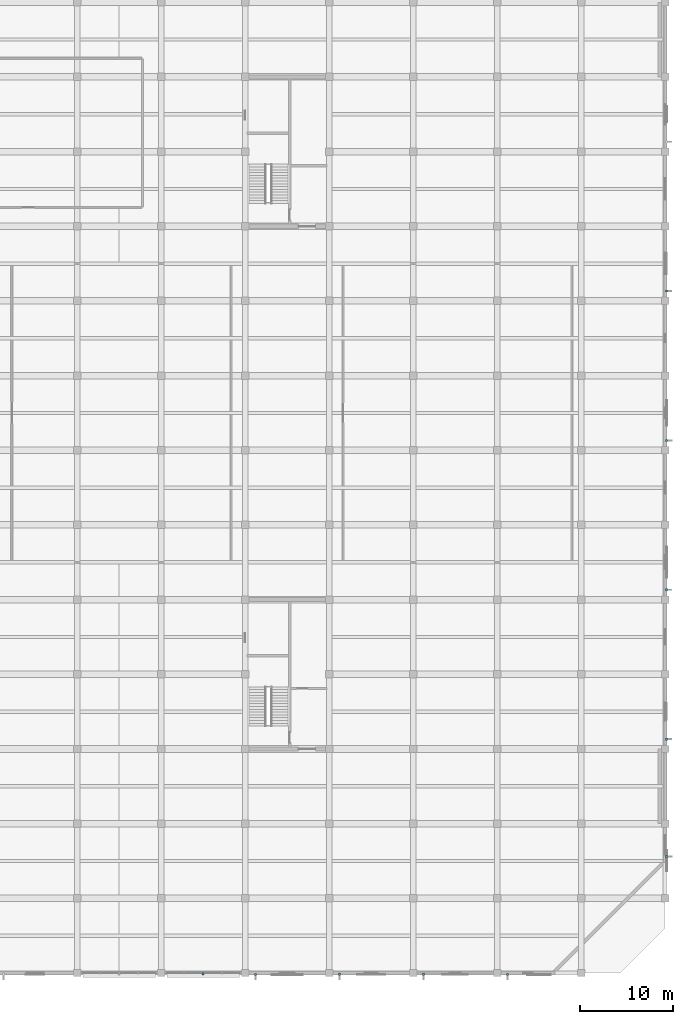
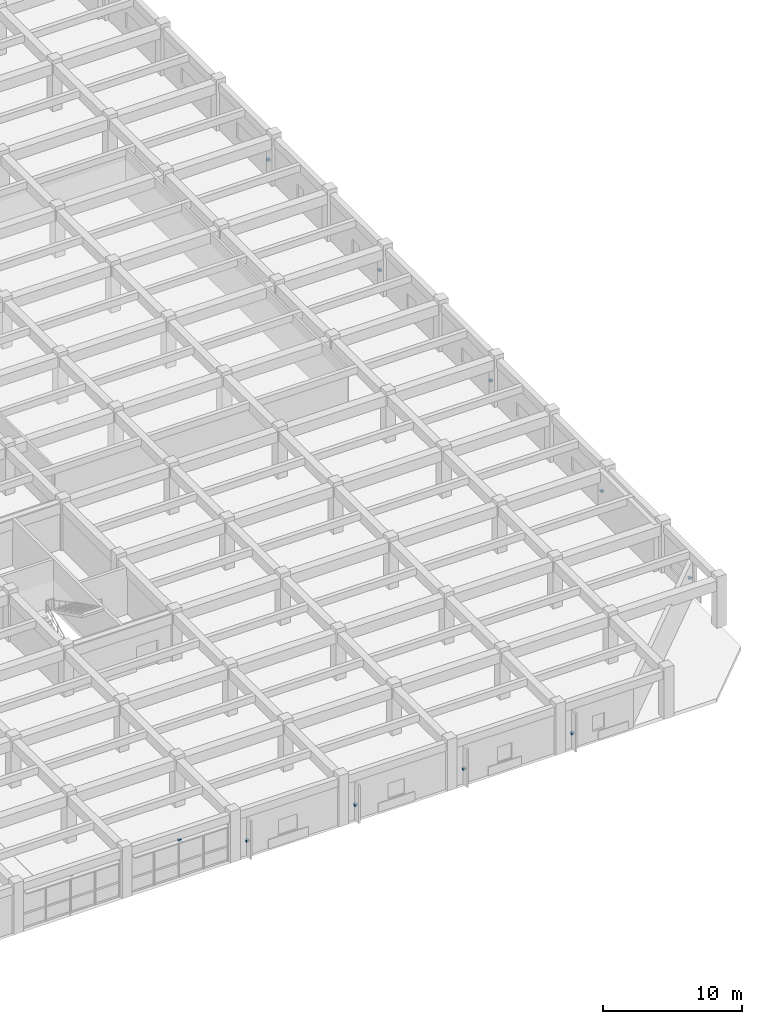
# One storey, part 40 of 50: 10 discrete accessories.
"""IFC4 building model written with IfcOpenShell, lengths in metres."""

from ifc_helpers import new_model, si_unit, direction, frame, origin, origin_2d, place, context, subcontext, project, spatial, rectangle, extrude, material, layer, layer_set, type_object, element, save


model = new_model("IFC4")

# Units and contexts
model_context = context("Model", 3, precision=1e-05, world=origin(), true_north=direction((0.0, 1.0)))
body_context = subcontext(model_context, "Body", "Model", "MODEL_VIEW")
ifc_project = project(units=[si_unit("LENGTHUNIT", "METRE"), si_unit("AREAUNIT", "SQUARE_METRE"), si_unit("VOLUMEUNIT", "CUBIC_METRE"), si_unit("PLANEANGLEUNIT", "RADIAN"), si_unit("MASSUNIT", "GRAM", prefix="KILO")], contexts=[model_context])

# Site, building, storey
site_placement = place(None, origin())
site = spatial("IfcSite", under=ifc_project, at=site_placement, CompositionType="ELEMENT")
building_placement = place(site_placement, origin())
building = spatial("IfcBuilding", under=site, at=building_placement, Name="Zaverband Oceanarium and Marine Research Institute", CompositionType="ELEMENT")
storey_placement = place(building_placement, frame((0.0, 0.0, 9.0)))
storey = spatial("IfcBuildingStorey", under=building, at=storey_placement, Name="L02", CompositionType="ELEMENT", Elevation=9.0)

# Discrete accessories
ifc_material = material(Name="Steel S355", Category="steel")
ifc_layer = layer(ifc_material, 0.179931640625, Name="Steel S355")
ifc_layer_set = layer_set([ifc_layer], Name="Steel S355")
discrete_accessory_type = type_object("IfcDiscreteAccessoryType", Name="BRK-STL-200", PredefinedType="BRACKET", material=ifc_layer_set)
for number, where, z_axis, x_axis, name in (
    (1, (130.5, -0.080078125, 3.18994140625), (0.0, 0.0, 1.0), (1.0, 0.0, 0.0), "Galvanized steel facade fin structural bracket BRK-STL-200"),
    (2, (136.10498046875, -0.155029296875, 1.22021484375), (0.0, 0.0, 1.0), (1.0, 0.0, 0.0), "Galvanized steel facade fin structural bracket BRK-STL-200"),
    (3, (145.10498046875, -0.14501953125, 1.22021484375), (0.0, 0.0, 1.0), (1.0, 0.0, 0.0), "Galvanized steel facade fin structural bracket BRK-STL-200"),
    (4, (154.10498046875, -0.132568359375, 1.22021484375), (0.0, 0.0, 1.0), (1.0, 0.0, 0.0), "Galvanized steel facade fin structural bracket BRK-STL-200"),
    (5, (163.10498046875, -0.169921875, 1.22021484375), (0.0, 0.0, 1.0), (1.0, 0.0, 0.0), "Galvanized steel facade fin structural bracket BRK-STL-200"),
    (6, (180.155029296875, 12.469970703125, 1.22021484375), (0.0, 0.0, 1.0), (1.0, 0.0, 0.0), "Galvanized steel facade fin structural bracket BRK-STL-200"),
    (7, (180.132568359375, 25.054931640625, 1.22021484375), (0.0, 0.0, 1.0), (1.0, 0.0, 0.0), "Galvanized steel facade fin structural bracket BRK-STL-200"),
    (8, (180.14501953125, 41.054931640625, 1.22021484375), (0.0, 0.0, 1.0), (1.0, 0.0, 0.0), "Galvanized steel facade fin structural bracket BRK-STL-200"),
    (9, (180.155029296875, 57.054931640625, 1.22021484375), (0.0, 0.0, 1.0), (1.0, 0.0, 0.0), "Galvanized steel facade fin structural bracket BRK-STL-200"),
    (10, (180.132568359375, 73.054931640625, 1.22021484375), (0.0, 0.0, 1.0), (1.0, 0.0, 0.0), "Galvanized steel facade fin structural bracket BRK-STL-200"),
):
    element("IfcDiscreteAccessory", number, at=place(storey_placement, frame(where, z_axis=z_axis, x_axis=x_axis)), inside=storey, type_object=discrete_accessory_type, Name=name, PredefinedType="BRACKET", context=body_context, shape_type="SweptSolid", body=[
        extrude(rectangle(XDim=0.239990234375, YDim=0.239990234375, at=origin_2d()), origin(), (0.0, 0.0, 1.0), 0.179931640625),
    ])

save(model, "model.ifc")
